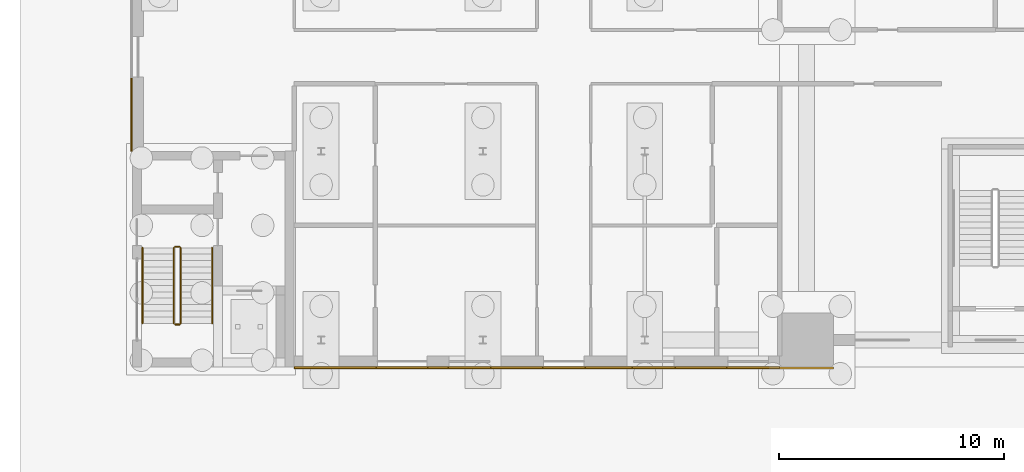
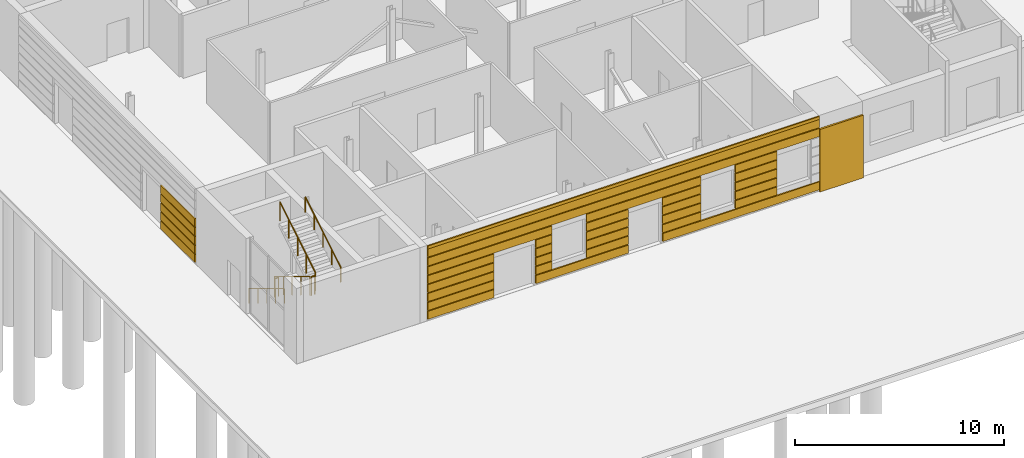
# One storey, part 112 of 139: 35 coverings, 6 railings.
"""IFC4 building model written with IfcOpenShell, lengths in metres."""

from ifc_helpers import new_model, si_unit, direction, frame, origin, origin_2d, place, context, subcontext, project, spatial, rectangle, circle, extrude, material, layer, layer_set, type_object, element, save


model = new_model("IFC4")

# Units and contexts
model_context = context("Model", 3, precision=1e-05, world=origin(), true_north=direction((0.0, 1.0)))
body_context = subcontext(model_context, "Body", "Model", "MODEL_VIEW")
ifc_project = project(units=[si_unit("LENGTHUNIT", "METRE"), si_unit("AREAUNIT", "SQUARE_METRE"), si_unit("VOLUMEUNIT", "CUBIC_METRE"), si_unit("PLANEANGLEUNIT", "RADIAN"), si_unit("MASSUNIT", "GRAM", prefix="KILO")], contexts=[model_context])

# Site, building, storey
site_placement = place(None, origin())
site = spatial("IfcSite", under=ifc_project, at=site_placement, CompositionType="ELEMENT")
building_placement = place(site_placement, origin())
building = spatial("IfcBuilding", under=site, at=building_placement, Name="Verrick Yard Athletic Hall", CompositionType="ELEMENT")
storey_placement = place(building_placement, origin())
storey = spatial("IfcBuildingStorey", under=building, at=storey_placement, Name="L00", CompositionType="ELEMENT", Elevation=0.0)

# Covering
ifc_material_1 = material(Name="Rusticated limestone cladding", Category="masonry")
ifc_layer_1 = layer(ifc_material_1, 0.10009765625)
ifc_layer_set_1 = layer_set([ifc_layer_1], Name="Pier base cladding")
covering_type_1 = type_object("IfcCoveringType", Name="Pier base cladding", PredefinedType="CLADDING", material=ifc_layer_set_1)
covering_1_placement = place(storey_placement, frame((40.0, 17.949951171875, 0.0), z_axis=(0.0, 0.0, 1.0), x_axis=(1.0, 0.0, 0.0)))
element("IfcCovering", 1, at=covering_1_placement, inside=storey, type_object=covering_type_1, Name="Pier base S1", PredefinedType="CLADDING", context=body_context, shape_type="SweptSolid", body=[
    extrude(rectangle(XDim=2.39990234375, YDim=0.10009765625, at=origin_2d()), origin(), (0.0, 0.0, 1.0), 3.64990234375),
])

# Railings
ifc_material_2 = material(Name="Stainless steel", Category="steel")
railing_type_1 = type_object("IfcRailingType", Name="Stair and core guard 1100", PredefinedType="GUARDRAIL", material=ifc_material_2)
railing_1_placement = place(storey_placement, frame((11.85009765625, 23.300048828125, 0.169189453125)))
element("IfcRailing", 2, at=railing_1_placement, inside=storey, type_object=railing_type_1, Name="L00 Wing south-west stair guard 1", PredefinedType="GUARDRAIL", context=body_context, shape_type="SweptSolid", body=[
    extrude(circle(Radius=0.02392578125, at=origin_2d()), frame((0.0, 0.0, 1.076171875), z_axis=(0.0, -0.855836976705, 0.517245656632), x_axis=(1.0, 0.0, 0.0)), (0.0, 0.0, 1.0), 3.926025390625),
    extrude(circle(Radius=0.02099609375, at=origin_2d()), origin(), (0.0, 0.0, 1.0), 1.052001953125),
    extrude(circle(Radius=0.02099609375, at=origin_2d()), frame((0.0, -0.840087890625, 0.5078125)), (0.0, 0.0, 1.0), 1.052001953125),
    extrude(circle(Radius=0.02099609375, at=origin_2d()), frame((0.0, -1.68017578125, 1.015380859375)), (0.0, 0.0, 1.0), 1.052001953125),
    extrude(circle(Radius=0.02099609375, at=origin_2d()), frame((0.0, -2.52001953125, 1.52294921875)), (0.0, 0.0, 1.0), 1.052001953125),
    extrude(circle(Radius=0.02099609375, at=origin_2d()), frame((0.0, -3.360107421875, 2.03076171875)), (0.0, 0.0, 1.0), 1.052001953125),
])
railing_2_placement = place(storey_placement, frame((11.89990234375, 19.889892578125, 2.199951171875)))
element("IfcRailing", 3, at=railing_2_placement, inside=storey, type_object=railing_type_1, Name="L00 Wing south-west stair guard 2", PredefinedType="GUARDRAIL", context=body_context, shape_type="SweptSolid", body=[
    extrude(circle(Radius=0.02392578125, at=origin_2d()), frame((0.0, 0.0, 1.076171875), z_axis=(1.0, 0.0, 0.0), x_axis=(0.0, 1.0, 0.0)), (0.0, 0.0, 1.0), 0.2001953125),
    extrude(circle(Radius=0.02099609375, at=origin_2d()), origin(), (0.0, 0.0, 1.0), 1.052001953125),
    extrude(circle(Radius=0.02099609375, at=origin_2d()), frame((0.2001953125, 0.0, 0.0)), (0.0, 0.0, 1.0), 1.052001953125),
])
railing_3_placement = place(storey_placement, frame((12.14990234375, 19.93994140625, 2.369140625)))
element("IfcRailing", 4, at=railing_3_placement, inside=storey, type_object=railing_type_1, Name="L00 Wing south-west stair guard 3", PredefinedType="GUARDRAIL", context=body_context, shape_type="SweptSolid", body=[
    extrude(circle(Radius=0.02392578125, at=origin_2d()), frame((0.0, 0.0, 1.076171875), z_axis=(0.0, 0.855836976705, 0.517245656632), x_axis=(-1.0, 0.0, 0.0)), (0.0, 0.0, 1.0), 3.926025390625),
    extrude(circle(Radius=0.02099609375, at=origin_2d()), origin(), (0.0, 0.0, 1.0), 1.052001953125),
    extrude(circle(Radius=0.02099609375, at=origin_2d()), frame((0.0, 0.840087890625, 0.5078125)), (0.0, 0.0, 1.0), 1.052001953125),
    extrude(circle(Radius=0.02099609375, at=origin_2d()), frame((0.0, 1.68017578125, 1.015380859375)), (0.0, 0.0, 1.0), 1.052001953125),
    extrude(circle(Radius=0.02099609375, at=origin_2d()), frame((0.0, 2.52001953125, 1.52294921875)), (0.0, 0.0, 1.0), 1.052001953125),
    extrude(circle(Radius=0.02099609375, at=origin_2d()), frame((0.0, 3.360107421875, 2.03076171875)), (0.0, 0.0, 1.0), 1.052001953125),
])
railing_4_placement = place(storey_placement, frame((11.89990234375, 23.35009765625, 0.0)))
element("IfcRailing", 5, at=railing_4_placement, inside=storey, type_object=railing_type_1, Name="L00 Wing south-west stair guard 4", PredefinedType="GUARDRAIL", context=body_context, shape_type="SweptSolid", body=[
    extrude(circle(Radius=0.02392578125, at=origin_2d()), frame((0.0, 0.0, 1.076171875), z_axis=(1.0, 0.0, 0.0), x_axis=(0.0, 1.0, 0.0)), (0.0, 0.0, 1.0), 0.2001953125),
    extrude(circle(Radius=0.02099609375, at=origin_2d()), origin(), (0.0, 0.0, 1.0), 1.052001953125),
    extrude(circle(Radius=0.02099609375, at=origin_2d()), frame((0.2001953125, 0.0, 0.0)), (0.0, 0.0, 1.0), 1.052001953125),
])
railing_type_2 = type_object("IfcRailingType", Name="Stair handrail 900", PredefinedType="HANDRAIL", material=ifc_material_2)
railing_5_placement = place(storey_placement, frame((10.449951171875, 23.300048828125, 0.169189453125)))
element("IfcRailing", 6, at=railing_5_placement, inside=storey, type_object=railing_type_2, Name="L00 Wing south-west stair handrail 1", PredefinedType="HANDRAIL", context=body_context, shape_type="SweptSolid", body=[
    extrude(circle(Radius=0.02392578125, at=origin_2d()), frame((0.0, 0.0, 0.8759765625), z_axis=(0.0, -0.855836976705, 0.517245656632), x_axis=(1.0, 0.0, 0.0)), (0.0, 0.0, 1.0), 3.926025390625),
    extrude(circle(Radius=0.02099609375, at=origin_2d()), origin(), (0.0, 0.0, 1.0), 0.851806640625),
    extrude(circle(Radius=0.02099609375, at=origin_2d()), frame((0.0, -0.840087890625, 0.5078125)), (0.0, 0.0, 1.0), 0.851806640625),
    extrude(circle(Radius=0.02099609375, at=origin_2d()), frame((0.0, -1.68017578125, 1.015380859375)), (0.0, 0.0, 1.0), 0.851806640625),
    extrude(circle(Radius=0.02099609375, at=origin_2d()), frame((0.0, -2.52001953125, 1.52294921875)), (0.0, 0.0, 1.0), 0.851806640625),
    extrude(circle(Radius=0.02099609375, at=origin_2d()), frame((0.0, -3.360107421875, 2.03076171875)), (0.0, 0.0, 1.0), 0.851806640625),
])
railing_6_placement = place(storey_placement, frame((13.550048828125, 19.93994140625, 2.369140625)))
element("IfcRailing", 7, at=railing_6_placement, inside=storey, type_object=railing_type_2, Name="L00 Wing south-west stair handrail 2", PredefinedType="HANDRAIL", context=body_context, shape_type="SweptSolid", body=[
    extrude(circle(Radius=0.02392578125, at=origin_2d()), frame((0.0, 0.0, 0.8759765625), z_axis=(0.0, 0.855836976705, 0.517245656632), x_axis=(-1.0, 0.0, 0.0)), (0.0, 0.0, 1.0), 3.926025390625),
    extrude(circle(Radius=0.02099609375, at=origin_2d()), origin(), (0.0, 0.0, 1.0), 0.851806640625),
    extrude(circle(Radius=0.02099609375, at=origin_2d()), frame((0.0, 0.840087890625, 0.5078125)), (0.0, 0.0, 1.0), 0.851806640625),
    extrude(circle(Radius=0.02099609375, at=origin_2d()), frame((0.0, 1.68017578125, 1.015380859375)), (0.0, 0.0, 1.0), 0.851806640625),
    extrude(circle(Radius=0.02099609375, at=origin_2d()), frame((0.0, 2.52001953125, 1.52294921875)), (0.0, 0.0, 1.0), 0.851806640625),
    extrude(circle(Radius=0.02099609375, at=origin_2d()), frame((0.0, 3.360107421875, 2.03076171875)), (0.0, 0.0, 1.0), 0.851806640625),
])

# Coverings
ifc_material_3 = material(Name="Tyndall-stone-look precast cladding", Category="masonry")
ifc_layer_2 = layer(ifc_material_3, 0.125)
ifc_layer_set_2 = layer_set([ifc_layer_2], Name="Stone cladding")
covering_type_2 = type_object("IfcCoveringType", Name="Stone cladding", PredefinedType="CLADDING", material=ifc_layer_set_2)
covering_2_placement = place(storey_placement, frame((19.02490234375, 17.96240234375, 0.125), z_axis=(0.0, 0.0, 1.0), x_axis=(1.0, 0.0, 0.0)))
element("IfcCovering", 8, at=covering_2_placement, inside=storey, type_object=covering_type_2, Name="Wing rustication", PredefinedType="CLADDING", context=body_context, shape_type="SweptSolid", body=[
    extrude(rectangle(XDim=3.64990234375, YDim=0.074951171875, at=origin_2d()), origin(), (0.0, 0.0, 1.0), 0.46875),
])
covering_3_placement = place(storey_placement, frame((25.699951171875, 17.96240234375, 0.125), z_axis=(0.0, 0.0, 1.0), x_axis=(1.0, 0.0, 0.0)))
element("IfcCovering", 9, at=covering_3_placement, inside=storey, type_object=covering_type_2, Name="Wing rustication", PredefinedType="CLADDING", context=body_context, shape_type="SweptSolid", body=[
    extrude(rectangle(XDim=5.10009765625, YDim=0.074951171875, at=origin_2d()), origin(), (0.0, 0.0, 1.0), 0.46875),
])
covering_4_placement = place(storey_placement, frame((34.47509765625, 17.96240234375, 0.125), z_axis=(0.0, 0.0, 1.0), x_axis=(1.0, 0.0, 0.0)))
element("IfcCovering", 10, at=covering_4_placement, inside=storey, type_object=covering_type_2, Name="Wing rustication", PredefinedType="CLADDING", context=body_context, shape_type="SweptSolid", body=[
    extrude(rectangle(XDim=8.64990234375, YDim=0.074951171875, at=origin_2d()), origin(), (0.0, 0.0, 1.0), 0.46875),
])
covering_5_placement = place(storey_placement, frame((19.02490234375, 17.96240234375, 0.643798828125), z_axis=(0.0, 0.0, 1.0), x_axis=(1.0, 0.0, 0.0)))
element("IfcCovering", 11, at=covering_5_placement, inside=storey, type_object=covering_type_2, Name="Wing rustication", PredefinedType="CLADDING", context=body_context, shape_type="SweptSolid", body=[
    extrude(rectangle(XDim=3.64990234375, YDim=0.074951171875, at=origin_2d()), origin(), (0.0, 0.0, 1.0), 0.46875),
])
covering_6_placement = place(storey_placement, frame((23.60009765625, 17.96240234375, 0.643798828125), z_axis=(0.0, 0.0, 1.0), x_axis=(1.0, 0.0, 0.0)))
element("IfcCovering", 12, at=covering_6_placement, inside=storey, type_object=covering_type_2, Name="Wing rustication", PredefinedType="CLADDING", context=body_context, shape_type="SweptSolid", body=[
    extrude(rectangle(XDim=0.89990234375, YDim=0.074951171875, at=origin_2d()), origin(), (0.0, 0.0, 1.0), 0.46875),
])
covering_7_placement = place(storey_placement, frame((27.10009765625, 17.96240234375, 0.643798828125), z_axis=(0.0, 0.0, 1.0), x_axis=(1.0, 0.0, 0.0)))
element("IfcCovering", 13, at=covering_7_placement, inside=storey, type_object=covering_type_2, Name="Wing rustication", PredefinedType="CLADDING", context=body_context, shape_type="SweptSolid", body=[
    extrude(rectangle(XDim=2.300048828125, YDim=0.074951171875, at=origin_2d()), origin(), (0.0, 0.0, 1.0), 0.46875),
])
covering_8_placement = place(storey_placement, frame((31.199951171875, 17.96240234375, 0.643798828125), z_axis=(0.0, 0.0, 1.0), x_axis=(1.0, 0.0, 0.0)))
element("IfcCovering", 14, at=covering_8_placement, inside=storey, type_object=covering_type_2, Name="Wing rustication", PredefinedType="CLADDING", context=body_context, shape_type="SweptSolid", body=[
    extrude(rectangle(XDim=2.10009765625, YDim=0.074951171875, at=origin_2d()), origin(), (0.0, 0.0, 1.0), 0.46875),
])
covering_9_placement = place(storey_placement, frame((35.300048828125, 17.96240234375, 0.643798828125), z_axis=(0.0, 0.0, 1.0), x_axis=(1.0, 0.0, 0.0)))
element("IfcCovering", 15, at=covering_9_placement, inside=storey, type_object=covering_type_2, Name="Wing rustication", PredefinedType="CLADDING", context=body_context, shape_type="SweptSolid", body=[
    extrude(rectangle(XDim=2.300048828125, YDim=0.074951171875, at=origin_2d()), origin(), (0.0, 0.0, 1.0), 0.46875),
])
covering_10_placement = place(storey_placement, frame((19.02490234375, 17.96240234375, 1.16259765625), z_axis=(0.0, 0.0, 1.0), x_axis=(1.0, 0.0, 0.0)))
element("IfcCovering", 16, at=covering_10_placement, inside=storey, type_object=covering_type_2, Name="Wing rustication", PredefinedType="CLADDING", context=body_context, shape_type="SweptSolid", body=[
    extrude(rectangle(XDim=3.64990234375, YDim=0.074951171875, at=origin_2d()), origin(), (0.0, 0.0, 1.0), 0.46875),
])
covering_11_placement = place(storey_placement, frame((23.60009765625, 17.96240234375, 1.16259765625), z_axis=(0.0, 0.0, 1.0), x_axis=(1.0, 0.0, 0.0)))
element("IfcCovering", 17, at=covering_11_placement, inside=storey, type_object=covering_type_2, Name="Wing rustication", PredefinedType="CLADDING", context=body_context, shape_type="SweptSolid", body=[
    extrude(rectangle(XDim=0.89990234375, YDim=0.074951171875, at=origin_2d()), origin(), (0.0, 0.0, 1.0), 0.46875),
])
covering_12_placement = place(storey_placement, frame((27.10009765625, 17.96240234375, 1.16259765625), z_axis=(0.0, 0.0, 1.0), x_axis=(1.0, 0.0, 0.0)))
element("IfcCovering", 18, at=covering_12_placement, inside=storey, type_object=covering_type_2, Name="Wing rustication", PredefinedType="CLADDING", context=body_context, shape_type="SweptSolid", body=[
    extrude(rectangle(XDim=2.300048828125, YDim=0.074951171875, at=origin_2d()), origin(), (0.0, 0.0, 1.0), 0.46875),
])
covering_13_placement = place(storey_placement, frame((31.199951171875, 17.96240234375, 1.16259765625), z_axis=(0.0, 0.0, 1.0), x_axis=(1.0, 0.0, 0.0)))
element("IfcCovering", 19, at=covering_13_placement, inside=storey, type_object=covering_type_2, Name="Wing rustication", PredefinedType="CLADDING", context=body_context, shape_type="SweptSolid", body=[
    extrude(rectangle(XDim=2.10009765625, YDim=0.074951171875, at=origin_2d()), origin(), (0.0, 0.0, 1.0), 0.46875),
])
covering_14_placement = place(storey_placement, frame((35.300048828125, 17.96240234375, 1.16259765625), z_axis=(0.0, 0.0, 1.0), x_axis=(1.0, 0.0, 0.0)))
element("IfcCovering", 20, at=covering_14_placement, inside=storey, type_object=covering_type_2, Name="Wing rustication", PredefinedType="CLADDING", context=body_context, shape_type="SweptSolid", body=[
    extrude(rectangle(XDim=2.300048828125, YDim=0.074951171875, at=origin_2d()), origin(), (0.0, 0.0, 1.0), 0.46875),
])
covering_15_placement = place(storey_placement, frame((19.02490234375, 17.96240234375, 1.68115234375), z_axis=(0.0, 0.0, 1.0), x_axis=(1.0, 0.0, 0.0)))
element("IfcCovering", 21, at=covering_15_placement, inside=storey, type_object=covering_type_2, Name="Wing rustication", PredefinedType="CLADDING", context=body_context, shape_type="SweptSolid", body=[
    extrude(rectangle(XDim=3.64990234375, YDim=0.074951171875, at=origin_2d()), origin(), (0.0, 0.0, 1.0), 0.46875),
])
covering_16_placement = place(storey_placement, frame((23.60009765625, 17.96240234375, 1.68115234375), z_axis=(0.0, 0.0, 1.0), x_axis=(1.0, 0.0, 0.0)))
element("IfcCovering", 22, at=covering_16_placement, inside=storey, type_object=covering_type_2, Name="Wing rustication", PredefinedType="CLADDING", context=body_context, shape_type="SweptSolid", body=[
    extrude(rectangle(XDim=0.89990234375, YDim=0.074951171875, at=origin_2d()), origin(), (0.0, 0.0, 1.0), 0.46875),
])
covering_17_placement = place(storey_placement, frame((27.10009765625, 17.96240234375, 1.68115234375), z_axis=(0.0, 0.0, 1.0), x_axis=(1.0, 0.0, 0.0)))
element("IfcCovering", 23, at=covering_17_placement, inside=storey, type_object=covering_type_2, Name="Wing rustication", PredefinedType="CLADDING", context=body_context, shape_type="SweptSolid", body=[
    extrude(rectangle(XDim=2.300048828125, YDim=0.074951171875, at=origin_2d()), origin(), (0.0, 0.0, 1.0), 0.46875),
])
covering_18_placement = place(storey_placement, frame((31.199951171875, 17.96240234375, 1.68115234375), z_axis=(0.0, 0.0, 1.0), x_axis=(1.0, 0.0, 0.0)))
element("IfcCovering", 24, at=covering_18_placement, inside=storey, type_object=covering_type_2, Name="Wing rustication", PredefinedType="CLADDING", context=body_context, shape_type="SweptSolid", body=[
    extrude(rectangle(XDim=2.10009765625, YDim=0.074951171875, at=origin_2d()), origin(), (0.0, 0.0, 1.0), 0.46875),
])
covering_19_placement = place(storey_placement, frame((35.300048828125, 17.96240234375, 1.68115234375), z_axis=(0.0, 0.0, 1.0), x_axis=(1.0, 0.0, 0.0)))
element("IfcCovering", 25, at=covering_19_placement, inside=storey, type_object=covering_type_2, Name="Wing rustication", PredefinedType="CLADDING", context=body_context, shape_type="SweptSolid", body=[
    extrude(rectangle(XDim=2.300048828125, YDim=0.074951171875, at=origin_2d()), origin(), (0.0, 0.0, 1.0), 0.46875),
])
covering_20_placement = place(storey_placement, frame((19.02490234375, 17.96240234375, 2.199951171875), z_axis=(0.0, 0.0, 1.0), x_axis=(1.0, 0.0, 0.0)))
element("IfcCovering", 26, at=covering_20_placement, inside=storey, type_object=covering_type_2, Name="Wing rustication", PredefinedType="CLADDING", context=body_context, shape_type="SweptSolid", body=[
    extrude(rectangle(XDim=3.64990234375, YDim=0.074951171875, at=origin_2d()), origin(), (0.0, 0.0, 1.0), 0.46875),
])
covering_21_placement = place(storey_placement, frame((23.60009765625, 17.96240234375, 2.199951171875), z_axis=(0.0, 0.0, 1.0), x_axis=(1.0, 0.0, 0.0)))
element("IfcCovering", 27, at=covering_21_placement, inside=storey, type_object=covering_type_2, Name="Wing rustication", PredefinedType="CLADDING", context=body_context, shape_type="SweptSolid", body=[
    extrude(rectangle(XDim=0.89990234375, YDim=0.074951171875, at=origin_2d()), origin(), (0.0, 0.0, 1.0), 0.46875),
])
covering_22_placement = place(storey_placement, frame((27.10009765625, 17.96240234375, 2.199951171875), z_axis=(0.0, 0.0, 1.0), x_axis=(1.0, 0.0, 0.0)))
element("IfcCovering", 28, at=covering_22_placement, inside=storey, type_object=covering_type_2, Name="Wing rustication", PredefinedType="CLADDING", context=body_context, shape_type="SweptSolid", body=[
    extrude(rectangle(XDim=2.300048828125, YDim=0.074951171875, at=origin_2d()), origin(), (0.0, 0.0, 1.0), 0.46875),
])
covering_23_placement = place(storey_placement, frame((31.199951171875, 17.96240234375, 2.199951171875), z_axis=(0.0, 0.0, 1.0), x_axis=(1.0, 0.0, 0.0)))
element("IfcCovering", 29, at=covering_23_placement, inside=storey, type_object=covering_type_2, Name="Wing rustication", PredefinedType="CLADDING", context=body_context, shape_type="SweptSolid", body=[
    extrude(rectangle(XDim=2.10009765625, YDim=0.074951171875, at=origin_2d()), origin(), (0.0, 0.0, 1.0), 0.46875),
])
covering_24_placement = place(storey_placement, frame((35.300048828125, 17.96240234375, 2.199951171875), z_axis=(0.0, 0.0, 1.0), x_axis=(1.0, 0.0, 0.0)))
element("IfcCovering", 30, at=covering_24_placement, inside=storey, type_object=covering_type_2, Name="Wing rustication", PredefinedType="CLADDING", context=body_context, shape_type="SweptSolid", body=[
    extrude(rectangle(XDim=2.300048828125, YDim=0.074951171875, at=origin_2d()), origin(), (0.0, 0.0, 1.0), 0.46875),
])
covering_25_placement = place(storey_placement, frame((20.625, 17.96240234375, 2.71875), z_axis=(0.0, 0.0, 1.0), x_axis=(1.0, 0.0, 0.0)))
element("IfcCovering", 31, at=covering_25_placement, inside=storey, type_object=covering_type_2, Name="Wing rustication", PredefinedType="CLADDING", context=body_context, shape_type="SweptSolid", body=[
    extrude(rectangle(XDim=6.85009765625, YDim=0.074951171875, at=origin_2d()), origin(), (0.0, 0.0, 1.0), 0.46875),
])
covering_26_placement = place(storey_placement, frame((29.10009765625, 17.96240234375, 2.71875), z_axis=(0.0, 0.0, 1.0), x_axis=(1.0, 0.0, 0.0)))
element("IfcCovering", 32, at=covering_26_placement, inside=storey, type_object=covering_type_2, Name="Wing rustication", PredefinedType="CLADDING", context=body_context, shape_type="SweptSolid", body=[
    extrude(rectangle(XDim=6.300048828125, YDim=0.074951171875, at=origin_2d()), origin(), (0.0, 0.0, 1.0), 0.46875),
])
covering_27_placement = place(storey_placement, frame((35.300048828125, 17.96240234375, 2.71875), z_axis=(0.0, 0.0, 1.0), x_axis=(1.0, 0.0, 0.0)))
element("IfcCovering", 33, at=covering_27_placement, inside=storey, type_object=covering_type_2, Name="Wing rustication", PredefinedType="CLADDING", context=body_context, shape_type="SweptSolid", body=[
    extrude(rectangle(XDim=2.300048828125, YDim=0.074951171875, at=origin_2d()), origin(), (0.0, 0.0, 1.0), 0.46875),
])
for number, where, z_axis, x_axis, name in (
    (34, (28.0, 17.96240234375, 3.237548828125), (0.0, 0.0, 1.0), (1.0, 0.0, 0.0), "Wing rustication"),
    (35, (28.0, 17.96240234375, 3.75634765625), (0.0, 0.0, 1.0), (1.0, 0.0, 0.0), "Wing rustication"),
):
    element("IfcCovering", number, at=place(storey_placement, frame(where, z_axis=z_axis, x_axis=x_axis)), inside=storey, type_object=covering_type_2, Name=name, PredefinedType="CLADDING", context=body_context, shape_type="SweptSolid", body=[
        extrude(rectangle(XDim=21.60009765625, YDim=0.074951171875, at=origin_2d()), origin(), (0.0, 0.0, 1.0), 0.46875),
    ])
for number, where, z_axis, x_axis, name in (
    (36, (9.96240234375, 29.22509765625, 0.125), (0.0, 0.0, 1.0), (0.0, 1.0, 0.0), "Wing rustication"),
    (37, (9.96240234375, 29.22509765625, 0.643798828125), (0.0, 0.0, 1.0), (0.0, 1.0, 0.0), "Wing rustication"),
    (38, (9.96240234375, 29.22509765625, 1.16259765625), (0.0, 0.0, 1.0), (0.0, 1.0, 0.0), "Wing rustication"),
    (39, (9.96240234375, 29.22509765625, 1.68115234375), (0.0, 0.0, 1.0), (0.0, 1.0, 0.0), "Wing rustication"),
    (40, (9.96240234375, 29.22509765625, 2.199951171875), (0.0, 0.0, 1.0), (0.0, 1.0, 0.0), "Wing rustication"),
):
    element("IfcCovering", number, at=place(storey_placement, frame(where, z_axis=z_axis, x_axis=x_axis)), inside=storey, type_object=covering_type_2, Name=name, PredefinedType="CLADDING", context=body_context, shape_type="SweptSolid", body=[
        extrude(rectangle(XDim=3.25, YDim=0.074951171875, at=origin_2d()), origin(), (0.0, 0.0, 1.0), 0.46875),
    ])
ifc_layer_3 = layer(ifc_material_3, 0.25)
ifc_layer_set_3 = layer_set([ifc_layer_3], Name="Stone moulding")
covering_type_3 = type_object("IfcCoveringType", Name="Stone moulding", PredefinedType="MOLDING", material=ifc_layer_set_3)
covering_28_placement = place(storey_placement, frame((28.0, 17.96240234375, 4.14990234375), z_axis=(0.0, 0.0, 1.0), x_axis=(1.0, 0.0, 0.0)))
element("IfcCovering", 41, at=covering_28_placement, inside=storey, type_object=covering_type_3, Name="String course", PredefinedType="MOLDING", context=body_context, shape_type="SweptSolid", body=[
    extrude(rectangle(XDim=21.60009765625, YDim=0.074951171875, at=origin_2d()), origin(), (0.0, 0.0, 1.0), 0.25),
])

save(model, "model.ifc")
